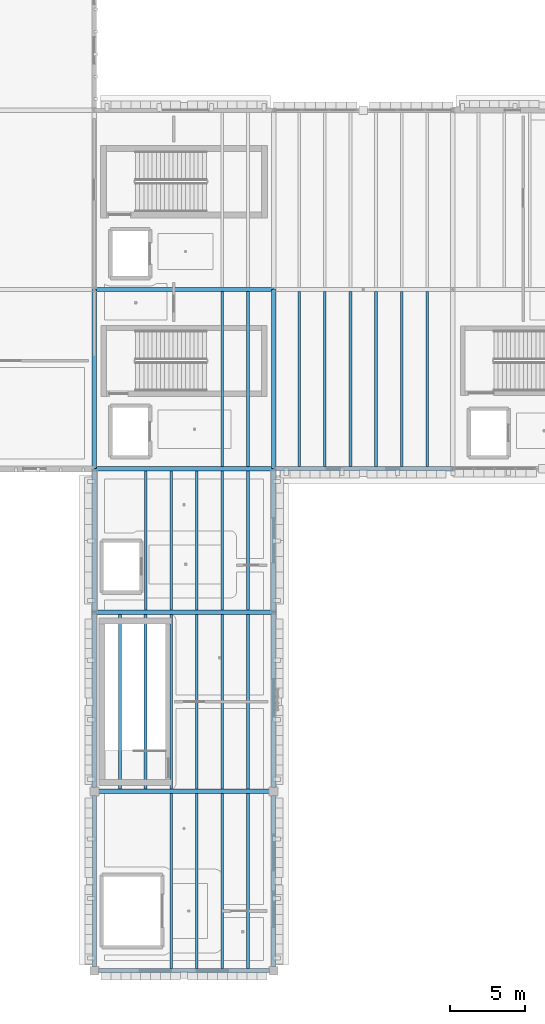
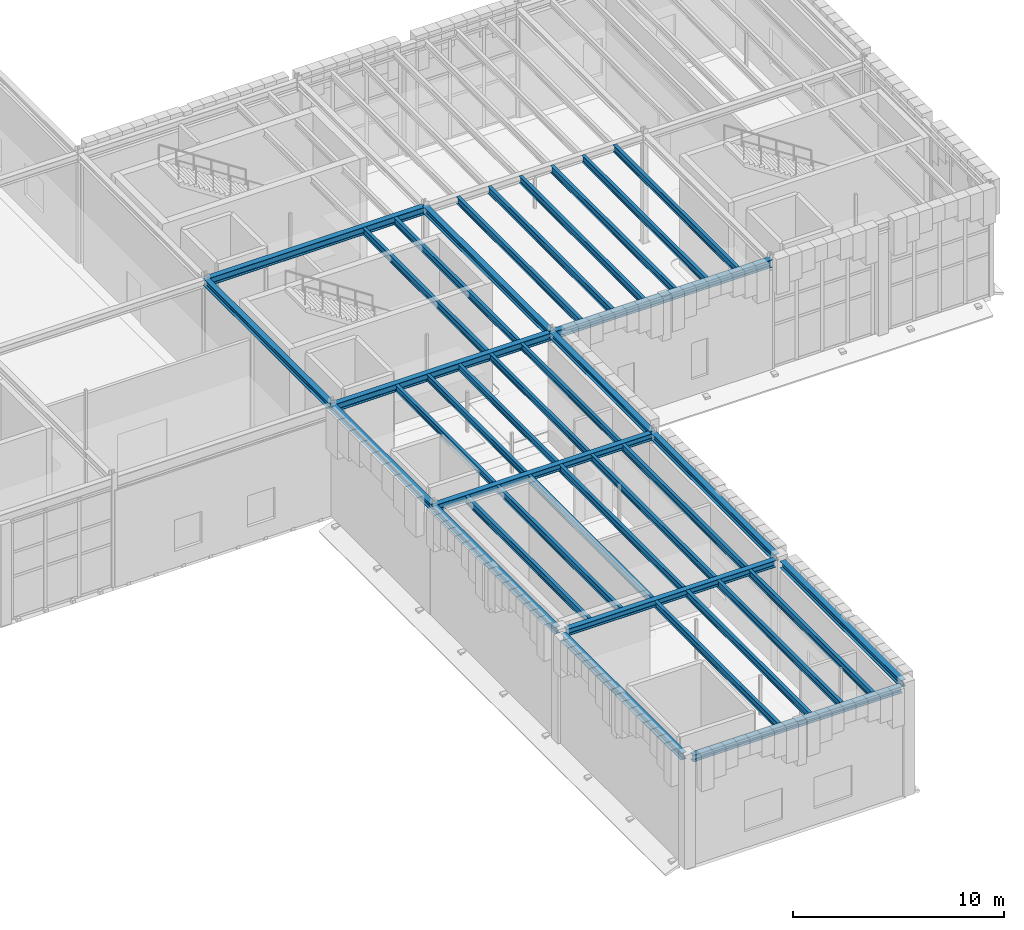
# One storey, part 26 of 62: 37 beams.
"""IFC4 building model written with IfcOpenShell, lengths in metres."""

import ifcopenshell
import ifcopenshell.guid

model = None  # the IFC model being written
_history = None  # IfcOwnerHistory: only IFC2X3 demands one
_inside = {}  # id of a spatial element -> (the spatial element, [elements in it])
_under = {}  # id of a project, library or spatial element -> (it, [spatial elements below it])
_declared = {}  # id of a project -> (the project, [libraries it declares])
_typed = {}  # id of a type object -> (the type object, [elements of that type])
_made_of = {}  # id of a material, layer set ... -> (it, [elements and type objects made of it])


def new_model(schema):
    """Start an empty IFC model of exactly this schema.

    Asked for "IFC4X3", IfcOpenShell would pick the latest addendum, in which some entities
    have other attributes; the version numbers below select the first issue.
    IFC2X3 requires an IfcOwnerHistory on every rooted entity: one is made here for all.
    """
    global model, _history
    if schema == "IFC4X3":
        model = ifcopenshell.file(schema_version=(4, 3, 0, 0))
    else:
        model = ifcopenshell.file(schema=schema)
    _inside.clear()
    _under.clear()
    _declared.clear()
    _typed.clear()
    _made_of.clear()
    _history = None
    if model.schema == "IFC2X3":
        org = make("IfcOrganization", Name="unknown")
        user = make(
            "IfcPersonAndOrganization",
            ThePerson=make("IfcPerson", FamilyName="unknown"),
            TheOrganization=org,
        )
        app = make(
            "IfcApplication",
            ApplicationDeveloper=org,
            Version="unknown",
            ApplicationFullName="unknown",
            ApplicationIdentifier="unknown",
        )
        _history = make(
            "IfcOwnerHistory",
            OwningUser=user,
            OwningApplication=app,
            ChangeAction="ADDED",
            CreationDate=0,
        )
    return model


def make(cls, **values):
    """One entity of the class cls with the attributes given. An attribute that is None is left unset."""
    return model.create_entity(
        cls, **{name: value for name, value in values.items() if value is not None}
    )


def rooted(cls, **values):
    """An entity with a GlobalId (a new one), such as an element, a storey or a relation."""
    return make(cls, GlobalId=ifcopenshell.guid.new(), OwnerHistory=_history, **values)


def si_unit(unit_type, name, prefix=None):
    """IfcSIUnit, for example si_unit("LENGTHUNIT", "METRE", prefix="MILLI")."""
    return make("IfcSIUnit", UnitType=unit_type, Prefix=prefix, Name=name)


def assignment(units):
    """IfcUnitAssignment: the units of a project."""
    return None if units is None else make("IfcUnitAssignment", Units=units)


def point(xyz):
    """IfcCartesianPoint."""
    return None if xyz is None else make("IfcCartesianPoint", Coordinates=xyz)


def direction(xyz):
    """IfcDirection."""
    return None if xyz is None else make("IfcDirection", DirectionRatios=xyz)


def frame(location, z_axis=None, x_axis=None):
    """IfcAxis2Placement3D, a coordinate frame: its origin and axes. An axis left out is left unset."""
    return make(
        "IfcAxis2Placement3D",
        Location=point(location),
        Axis=direction(z_axis),
        RefDirection=direction(x_axis),
    )


def frame_2d(location, x_axis=None):
    """IfcAxis2Placement2D, a coordinate frame in the plane: its origin and x axis."""
    return make(
        "IfcAxis2Placement2D", Location=point(location), RefDirection=direction(x_axis)
    )


def origin():
    """The frame at (0, 0, 0) with its axes left unset."""
    return frame((0.0, 0.0, 0.0))


def origin_2d():
    """The frame at (0, 0) in the plane with its x axis left unset."""
    return frame_2d((0.0, 0.0))


def place(relative_to, where):
    """IfcLocalPlacement: puts the frame where relative to a parent placement (None: the world)."""
    return make(
        "IfcLocalPlacement", PlacementRelTo=relative_to, RelativePlacement=where
    )


def context(
    kind, dimensions, precision=None, world=None, true_north=None, identifier=None
):
    """IfcGeometricRepresentationContext, for example the 3D "Model" context."""
    return make(
        "IfcGeometricRepresentationContext",
        ContextIdentifier=identifier,
        ContextType=kind,
        CoordinateSpaceDimension=dimensions,
        Precision=precision,
        WorldCoordinateSystem=world,
        TrueNorth=true_north,
    )


def subcontext(parent, identifier, kind, view, scale=None):
    """IfcGeometricRepresentationSubContext, for example "Body" below "Model"."""
    return make(
        "IfcGeometricRepresentationSubContext",
        ContextIdentifier=identifier,
        ContextType=kind,
        ParentContext=parent,
        TargetScale=scale,
        TargetView=view,
    )


def project(units=None, contexts=None):
    """IfcProject with its units and contexts."""
    return rooted(
        "IfcProject",
        Name="project",
        RepresentationContexts=contexts,
        UnitsInContext=assignment(units),
    )


def spatial(cls, under=None, at=None, **own):
    """A site, building, storey or space (cls), placed at a placement, below another one or the project."""
    s = rooted(cls, ObjectPlacement=at, **own)
    if under is not None:
        _under.setdefault(under.id(), (under, []))[1].append(s)
    return s


def profile(cls, at=None, kind="AREA", **sizes):
    """A parametric profile (cls). Its sizes go by their IFC names, for example OverallWidth=200.0."""
    return make(cls, ProfileType=kind, Position=at, **sizes)


def i_section(**sizes):
    """IfcIShapeProfileDef."""
    return profile("IfcIShapeProfileDef", **sizes)


def extrude(swept, where, along, depth):
    """IfcExtrudedAreaSolid: the profile swept, set in the frame where, extruded along a direction by depth."""
    return make(
        "IfcExtrudedAreaSolid",
        SweptArea=swept,
        Position=where,
        ExtrudedDirection=direction(along),
        Depth=depth,
    )


def shape(context_of_items, identifier, shape_type, items):
    """IfcShapeRepresentation: the items that make up one representation, for example the "Body"."""
    return make(
        "IfcShapeRepresentation",
        ContextOfItems=context_of_items,
        RepresentationIdentifier=identifier,
        RepresentationType=shape_type,
        Items=items,
    )


def material(Name=None, Category=None):
    """IfcMaterial."""
    return make("IfcMaterial", Name=Name, Category=Category)


def material_profile(
    of_material, cross_section, Name=None, Category=None, Priority=None
):
    """IfcMaterialProfile: a cross section and its material."""
    return make(
        "IfcMaterialProfile",
        Name=Name,
        Material=of_material,
        Profile=cross_section,
        Priority=Priority,
        Category=Category,
    )


def profile_set(profiles, Name=None, composite=None):
    """IfcMaterialProfileSet."""
    return make(
        "IfcMaterialProfileSet",
        Name=Name,
        MaterialProfiles=profiles,
        CompositeProfile=composite,
    )


def made_of(thing, what):
    """Note that an element or type object is made of a material, layer set ...; save() writes the relation."""
    if what is not None:
        _made_of.setdefault(what.id(), (what, []))[1].append(thing)
    return thing


def type_object(cls, material=None, **own):
    """A type object (cls), such as IfcWallType, which elements share."""
    return made_of(rooted(cls, **own), material)


def element(
    cls,
    number,
    at=None,
    inside=None,
    cuts=None,
    type_object=None,
    material=None,
    context=None,
    identifier="Body",
    shape_type=None,
    held_by="IfcProductDefinitionShape",
    body=None,
    shapes=None,
    **own,
):
    """One element of the class cls, such as IfcWall. Its Tag is "e" and its number.

    at: its placement. inside: the storey or other place that contains it. cuts: it is an
    opening in that element (IfcRelVoidsElement). A single representation is given by context,
    identifier, shape_type and body (its items); several are given by shapes. held_by: the class
    of the entity that holds the representations. save() writes the other relations.
    """
    e = rooted(cls, Tag="e%d" % number, ObjectPlacement=at, **own)
    if body is not None:
        shapes = [shape(context, identifier, shape_type, body)]
    if shapes is not None:
        e.Representation = make(held_by, Representations=shapes)
    if inside is not None:
        _inside.setdefault(inside.id(), (inside, []))[1].append(e)
    if cuts is not None:
        rooted(
            "IfcRelVoidsElement", RelatingBuildingElement=cuts, RelatedOpeningElement=e
        )
    if type_object is not None:
        _typed.setdefault(type_object.id(), (type_object, []))[1].append(e)
    return made_of(e, material)


def aggregate(whole, parts):
    """IfcRelAggregates: a whole, such as a stair, and the parts it consists of."""
    return rooted("IfcRelAggregates", RelatingObject=whole, RelatedObjects=parts)


def save(model, path):
    """Write the relations noted so far, then the file.

    IfcRelAggregates (storeys below a building ...), IfcRelContainedInSpatialStructure (elements
    in a storey), IfcRelDefinesByType, IfcRelAssociatesMaterial and IfcRelDeclares: one each for
    every whole, place, type object, material and project.
    """
    for whole, parts in _under.values():
        aggregate(whole, parts)
    for where, things in _inside.values():
        rooted(
            "IfcRelContainedInSpatialStructure",
            RelatedElements=things,
            RelatingStructure=where,
        )
    for kind, things in _typed.values():
        rooted("IfcRelDefinesByType", RelatedObjects=things, RelatingType=kind)
    for what, things in _made_of.values():
        rooted("IfcRelAssociatesMaterial", RelatedObjects=things, RelatingMaterial=what)
    for by, libraries in _declared.values():
        rooted("IfcRelDeclares", RelatingContext=by, RelatedDefinitions=libraries)
    model.write(path)


model = new_model("IFC4")

# Units and contexts
model_context = context("Model", 3, precision=1e-05, world=origin(), true_north=direction((0.0, 1.0)))
body_context = subcontext(model_context, "Body", "Model", "MODEL_VIEW")
ifc_project = project(units=[si_unit("LENGTHUNIT", "METRE"), si_unit("AREAUNIT", "SQUARE_METRE"), si_unit("VOLUMEUNIT", "CUBIC_METRE"), si_unit("PLANEANGLEUNIT", "RADIAN"), si_unit("MASSUNIT", "GRAM", prefix="KILO")], contexts=[model_context])

# Site, building, storey
site_placement = place(None, origin())
site = spatial("IfcSite", under=ifc_project, at=site_placement, CompositionType="ELEMENT")
building_placement = place(site_placement, origin())
building = spatial("IfcBuilding", under=site, at=building_placement, Name="Zlatogorsky Bluff Art Gallery", CompositionType="ELEMENT")
storey_placement = place(building_placement, frame((0.0, 0.0, 16.800048828125)))
storey = spatial("IfcBuildingStorey", under=building, at=storey_placement, Name="L03", CompositionType="ELEMENT", Elevation=16.800048828125)

# Beams
ifc_material = material(Name="Steel S355", Category="steel")
ifc_material_profile_1 = material_profile(ifc_material, i_section(OverallWidth=0.300048828125, OverallDepth=0.43994140625, WebThickness=0.011474609375, FlangeThickness=0.02099609375, FilletRadius=0.027099609375, at=origin_2d()), Name="HEA 450")
ifc_profile_set_1 = profile_set([ifc_material_profile_1], Name="Steel S355")
beam_type_1 = type_object("IfcBeamType", Name="Beam BM-08 HEA 450", PredefinedType="BEAM", material=ifc_profile_set_1)
for number, where, z_axis, x_axis, name in (
    (1, (120.014892578125, 84.0, 6.10986328125), (1.0, 0.0, 0.0), (0.0, 1.0, 0.0), "Primary girder BM-08 L03 L-M/9"),
    (2, (120.014892578125, 96.0, 6.10986328125), (1.0, 0.0, 0.0), (0.0, 1.0, 0.0), "Primary girder BM-08 L03 L-M/10"),
    (3, (132.014892578125, 84.0, 6.10986328125), (1.0, 0.0, 0.0), (0.0, 1.0, 0.0), "Primary girder BM-08 L03 M-N/9"),
):
    element("IfcBeam", number, at=place(storey_placement, frame(where, z_axis=z_axis, x_axis=x_axis)), inside=storey, type_object=beam_type_1, Name=name, PredefinedType="BEAM", context=body_context, shape_type="SweptSolid", body=[
        extrude(i_section(OverallWidth=0.300048828125, OverallDepth=0.43994140625, WebThickness=0.011474609375, FlangeThickness=0.02099609375, FilletRadius=0.027099609375, at=origin_2d()), origin(), (0.0, 0.0, 1.0), 11.97021484375),
    ])
ifc_material_profile_2 = material_profile(ifc_material, i_section(OverallWidth=0.300048828125, OverallDepth=0.389892578125, WebThickness=0.010986328125, FlangeThickness=0.01904296875, FilletRadius=0.027099609375, at=origin_2d()), Name="HEA 400")
ifc_profile_set_2 = profile_set([ifc_material_profile_2], Name="Steel S355")
beam_type_2 = type_object("IfcBeamType", Name="Beam BM-09 HEA 400", PredefinedType="BEAM", material=ifc_profile_set_2)
for number, where, z_axis, x_axis, name in (
    (4, (120.280029296875, 50.39990234375, 6.135009765625), (1.0, 0.0, 0.0), (0.0, 1.0, 0.0), "Primary girder BM-09 L03 L-M/6"),
    (5, (120.280029296875, 62.39990234375, 6.135009765625), (1.0, 0.0, 0.0), (0.0, 1.0, 0.0), "Primary girder BM-09 L03 L-M/7"),
):
    element("IfcBeam", number, at=place(storey_placement, frame(where, z_axis=z_axis, x_axis=x_axis)), inside=storey, type_object=beam_type_2, Name=name, PredefinedType="BEAM", context=body_context, shape_type="SweptSolid", body=[
        extrude(i_section(OverallWidth=0.300048828125, OverallDepth=0.389892578125, WebThickness=0.010986328125, FlangeThickness=0.01904296875, FilletRadius=0.027099609375, at=origin_2d()), origin(), (0.0, 0.0, 1.0), 11.43994140625),
    ])
beam_1_placement = place(storey_placement, frame((120.014892578125, 74.39990234375, 6.135009765625), z_axis=(1.0, 0.0, 0.0), x_axis=(0.0, 1.0, 0.0)))
element("IfcBeam", 6, at=beam_1_placement, inside=storey, type_object=beam_type_2, Name="Primary girder BM-09 L03 L-M/8", PredefinedType="BEAM", context=body_context, shape_type="SweptSolid", body=[
    extrude(i_section(OverallWidth=0.300048828125, OverallDepth=0.389892578125, WebThickness=0.010986328125, FlangeThickness=0.01904296875, FilletRadius=0.027099609375, at=origin_2d()), origin(), (0.0, 0.0, 1.0), 11.97021484375),
])
beam_2_placement = place(storey_placement, frame((120.0, 50.679931640625, 6.135009765625), z_axis=(0.0, 1.0, 0.0), x_axis=(-1.0, 0.0, 0.0)))
element("IfcBeam", 7, at=beam_2_placement, inside=storey, type_object=beam_type_2, Name="Primary girder BM-09 L03 L/6-7", PredefinedType="BEAM", context=body_context, shape_type="SweptSolid", body=[
    extrude(i_section(OverallWidth=0.300048828125, OverallDepth=0.389892578125, WebThickness=0.010986328125, FlangeThickness=0.01904296875, FilletRadius=0.027099609375, at=origin_2d()), origin(), (0.0, 0.0, 1.0), 11.440185546875),
])
beam_3_placement = place(storey_placement, frame((120.0, 62.679931640625, 6.135009765625), z_axis=(0.0, 1.0, 0.0), x_axis=(-1.0, 0.0, 0.0)))
element("IfcBeam", 8, at=beam_3_placement, inside=storey, type_object=beam_type_2, Name="Primary girder BM-09 L03 L/7-8", PredefinedType="BEAM", context=body_context, shape_type="SweptSolid", body=[
    extrude(i_section(OverallWidth=0.300048828125, OverallDepth=0.389892578125, WebThickness=0.010986328125, FlangeThickness=0.01904296875, FilletRadius=0.027099609375, at=origin_2d()), origin(), (0.0, 0.0, 1.0), 11.705078125),
])
beam_4_placement = place(storey_placement, frame((120.0, 84.014892578125, 6.135009765625), z_axis=(0.0, 1.0, 0.0), x_axis=(-1.0, 0.0, 0.0)))
element("IfcBeam", 9, at=beam_4_placement, inside=storey, type_object=beam_type_2, Name="Primary girder BM-09 L03 L/9-10", PredefinedType="BEAM", context=body_context, shape_type="SweptSolid", body=[
    extrude(i_section(OverallWidth=0.300048828125, OverallDepth=0.389892578125, WebThickness=0.010986328125, FlangeThickness=0.01904296875, FilletRadius=0.027099609375, at=origin_2d()), origin(), (0.0, 0.0, 1.0), 11.97021484375),
])
beam_5_placement = place(storey_placement, frame((132.0, 50.679931640625, 6.135009765625), z_axis=(0.0, 1.0, 0.0), x_axis=(-1.0, 0.0, 0.0)))
element("IfcBeam", 10, at=beam_5_placement, inside=storey, type_object=beam_type_2, Name="Primary girder BM-09 L03 M/6-7", PredefinedType="BEAM", context=body_context, shape_type="SweptSolid", body=[
    extrude(i_section(OverallWidth=0.300048828125, OverallDepth=0.389892578125, WebThickness=0.010986328125, FlangeThickness=0.01904296875, FilletRadius=0.027099609375, at=origin_2d()), origin(), (0.0, 0.0, 1.0), 11.440185546875),
])
beam_6_placement = place(storey_placement, frame((132.0, 62.679931640625, 6.135009765625), z_axis=(0.0, 1.0, 0.0), x_axis=(-1.0, 0.0, 0.0)))
element("IfcBeam", 11, at=beam_6_placement, inside=storey, type_object=beam_type_2, Name="Primary girder BM-09 L03 M/7-8", PredefinedType="BEAM", context=body_context, shape_type="SweptSolid", body=[
    extrude(i_section(OverallWidth=0.300048828125, OverallDepth=0.389892578125, WebThickness=0.010986328125, FlangeThickness=0.01904296875, FilletRadius=0.027099609375, at=origin_2d()), origin(), (0.0, 0.0, 1.0), 11.705078125),
])
beam_7_placement = place(storey_placement, frame((132.0, 84.014892578125, 6.135009765625), z_axis=(0.0, 1.0, 0.0), x_axis=(-1.0, 0.0, 0.0)))
element("IfcBeam", 12, at=beam_7_placement, inside=storey, type_object=beam_type_2, Name="Primary girder BM-09 L03 M/9-10", PredefinedType="BEAM", context=body_context, shape_type="SweptSolid", body=[
    extrude(i_section(OverallWidth=0.300048828125, OverallDepth=0.389892578125, WebThickness=0.010986328125, FlangeThickness=0.01904296875, FilletRadius=0.027099609375, at=origin_2d()), origin(), (0.0, 0.0, 1.0), 11.97021484375),
])
ifc_material_profile_3 = material_profile(ifc_material, i_section(OverallWidth=0.300048828125, OverallDepth=0.35009765625, WebThickness=0.010009765625, FlangeThickness=0.017578125, FilletRadius=0.027099609375, at=origin_2d()), Name="HEA 360")
ifc_profile_set_3 = profile_set([ifc_material_profile_3], Name="Steel S355")
beam_type_3 = type_object("IfcBeamType", Name="Beam BM-10 HEA 360", PredefinedType="BEAM", material=ifc_profile_set_3)
for number, where, z_axis, x_axis, name in (
    (13, (120.0, 74.4150390625, 6.155029296875), (0.0, 1.0, 0.0), (-1.0, 0.0, 0.0), "Primary girder BM-10 L03 L/8-9"),
    (14, (132.0, 74.4150390625, 6.155029296875), (0.0, 1.0, 0.0), (-1.0, 0.0, 0.0), "Primary girder BM-10 L03 M/8-9"),
):
    element("IfcBeam", number, at=place(storey_placement, frame(where, z_axis=z_axis, x_axis=x_axis)), inside=storey, type_object=beam_type_3, Name=name, PredefinedType="BEAM", context=body_context, shape_type="SweptSolid", body=[
        extrude(i_section(OverallWidth=0.300048828125, OverallDepth=0.35009765625, WebThickness=0.010009765625, FlangeThickness=0.017578125, FilletRadius=0.027099609375, at=origin_2d()), origin(), (0.0, 0.0, 1.0), 9.570068359375),
    ])
ifc_material_profile_4 = material_profile(ifc_material, i_section(OverallWidth=0.169921875, OverallDepth=0.360107421875, WebThickness=0.008056640625, FlangeThickness=0.0126953125, FilletRadius=0.01806640625, at=origin_2d()), Name="IPE 360")
ifc_profile_set_4 = profile_set([ifc_material_profile_4], Name="Steel S355")
beam_type_4 = type_object("IfcBeamType", Name="Beam JS-04 IPE 360", PredefinedType="JOIST", material=ifc_profile_set_4)
for number, where, z_axis, x_axis, name in (
    (15, (123.428466796875, 74.550048828125, 6.14990234375), (0.0, 1.0, 0.0), (-1.0, 0.0, 0.0), "Composite floor joist JS-04 L03 10.07.2"),
    (16, (125.142822265625, 74.550048828125, 6.14990234375), (0.0, 1.0, 0.0), (-1.0, 0.0, 0.0), "Composite floor joist JS-04 L03 10.07.3"),
    (17, (126.857177734375, 74.550048828125, 6.14990234375), (0.0, 1.0, 0.0), (-1.0, 0.0, 0.0), "Composite floor joist JS-04 L03 10.07.4"),
    (18, (128.571533203125, 74.550048828125, 6.14990234375), (0.0, 1.0, 0.0), (-1.0, 0.0, 0.0), "Composite floor joist JS-04 L03 10.07.5"),
    (19, (130.28564453125, 74.550048828125, 6.14990234375), (0.0, 1.0, 0.0), (-1.0, 0.0, 0.0), "Composite floor joist JS-04 L03 10.07.6"),
):
    element("IfcBeam", number, at=place(storey_placement, frame(where, z_axis=z_axis, x_axis=x_axis)), inside=storey, type_object=beam_type_4, Name=name, PredefinedType="JOIST", context=body_context, shape_type="SweptSolid", body=[
        extrude(i_section(OverallWidth=0.169921875, OverallDepth=0.360107421875, WebThickness=0.008056640625, FlangeThickness=0.0126953125, FilletRadius=0.01806640625, at=origin_2d()), origin(), (0.0, 0.0, 1.0), 9.300048828125),
    ])
ifc_material_profile_5 = material_profile(ifc_material, i_section(OverallWidth=0.179931640625, OverallDepth=0.39990234375, WebThickness=0.008544921875, FlangeThickness=0.013427734375, FilletRadius=0.02099609375, at=origin_2d()), Name="IPE 400")
ifc_profile_set_5 = profile_set([ifc_material_profile_5], Name="Steel S355")
beam_type_5 = type_object("IfcBeamType", Name="Beam JS-05 IPE 400", PredefinedType="JOIST", material=ifc_profile_set_5)
for number, where, z_axis, x_axis, name in (
    (20, (125.142822265625, 50.550048828125, 6.1298828125), (0.0, 1.0, 0.0), (-1.0, 0.0, 0.0), "Composite floor joist JS-05 L03 10.05.3"),
    (21, (126.857177734375, 50.550048828125, 6.1298828125), (0.0, 1.0, 0.0), (-1.0, 0.0, 0.0), "Composite floor joist JS-05 L03 10.05.4"),
    (22, (128.571533203125, 50.550048828125, 6.1298828125), (0.0, 1.0, 0.0), (-1.0, 0.0, 0.0), "Composite floor joist JS-05 L03 10.05.5"),
    (23, (130.28564453125, 50.550048828125, 6.1298828125), (0.0, 1.0, 0.0), (-1.0, 0.0, 0.0), "Composite floor joist JS-05 L03 10.05.6"),
    (24, (121.71435546875, 62.550048828125, 6.1298828125), (0.0, 1.0, 0.0), (-1.0, 0.0, 0.0), "Composite floor joist JS-05 L03 10.06.1"),
    (25, (123.428466796875, 62.550048828125, 6.1298828125), (0.0, 1.0, 0.0), (-1.0, 0.0, 0.0), "Composite floor joist JS-05 L03 10.06.2"),
    (26, (125.142822265625, 62.550048828125, 6.1298828125), (0.0, 1.0, 0.0), (-1.0, 0.0, 0.0), "Composite floor joist JS-05 L03 10.06.3"),
    (27, (126.857177734375, 62.550048828125, 6.1298828125), (0.0, 1.0, 0.0), (-1.0, 0.0, 0.0), "Composite floor joist JS-05 L03 10.06.4"),
    (28, (128.571533203125, 62.550048828125, 6.1298828125), (0.0, 1.0, 0.0), (-1.0, 0.0, 0.0), "Composite floor joist JS-05 L03 10.06.5"),
    (29, (130.28564453125, 62.550048828125, 6.1298828125), (0.0, 1.0, 0.0), (-1.0, 0.0, 0.0), "Composite floor joist JS-05 L03 10.06.6"),
):
    element("IfcBeam", number, at=place(storey_placement, frame(where, z_axis=z_axis, x_axis=x_axis)), inside=storey, type_object=beam_type_5, Name=name, PredefinedType="JOIST", context=body_context, shape_type="SweptSolid", body=[
        extrude(i_section(OverallWidth=0.179931640625, OverallDepth=0.39990234375, WebThickness=0.008544921875, FlangeThickness=0.013427734375, FilletRadius=0.02099609375, at=origin_2d()), origin(), (0.0, 0.0, 1.0), 11.699951171875),
    ])
for number, where, z_axis, x_axis, name in (
    (30, (128.571533203125, 84.14990234375, 6.1298828125), (0.0, 1.0, 0.0), (-1.0, 0.0, 0.0), "Composite floor joist JS-05 L03 10.08.5"),
    (31, (130.28564453125, 84.14990234375, 6.1298828125), (0.0, 1.0, 0.0), (-1.0, 0.0, 0.0), "Composite floor joist JS-05 L03 10.08.6"),
    (32, (133.71435546875, 84.14990234375, 6.1298828125), (0.0, 1.0, 0.0), (-1.0, 0.0, 0.0), "Composite floor joist JS-05 L03 11.08.1"),
    (33, (135.428466796875, 84.14990234375, 6.1298828125), (0.0, 1.0, 0.0), (-1.0, 0.0, 0.0), "Composite floor joist JS-05 L03 11.08.2"),
    (34, (137.142822265625, 84.14990234375, 6.1298828125), (0.0, 1.0, 0.0), (-1.0, 0.0, 0.0), "Composite floor joist JS-05 L03 11.08.3"),
    (35, (138.857177734375, 84.14990234375, 6.1298828125), (0.0, 1.0, 0.0), (-1.0, 0.0, 0.0), "Composite floor joist JS-05 L03 11.08.4"),
    (36, (140.571533203125, 84.14990234375, 6.1298828125), (0.0, 1.0, 0.0), (-1.0, 0.0, 0.0), "Composite floor joist JS-05 L03 11.08.5"),
    (37, (142.28564453125, 84.14990234375, 6.1298828125), (0.0, 1.0, 0.0), (-1.0, 0.0, 0.0), "Composite floor joist JS-05 L03 11.08.6"),
):
    element("IfcBeam", number, at=place(storey_placement, frame(where, z_axis=z_axis, x_axis=x_axis)), inside=storey, type_object=beam_type_5, Name=name, PredefinedType="JOIST", context=body_context, shape_type="SweptSolid", body=[
        extrude(i_section(OverallWidth=0.179931640625, OverallDepth=0.39990234375, WebThickness=0.008544921875, FlangeThickness=0.013427734375, FilletRadius=0.02099609375, at=origin_2d()), origin(), (0.0, 0.0, 1.0), 11.7001953125),
    ])

save(model, "model.ifc")
